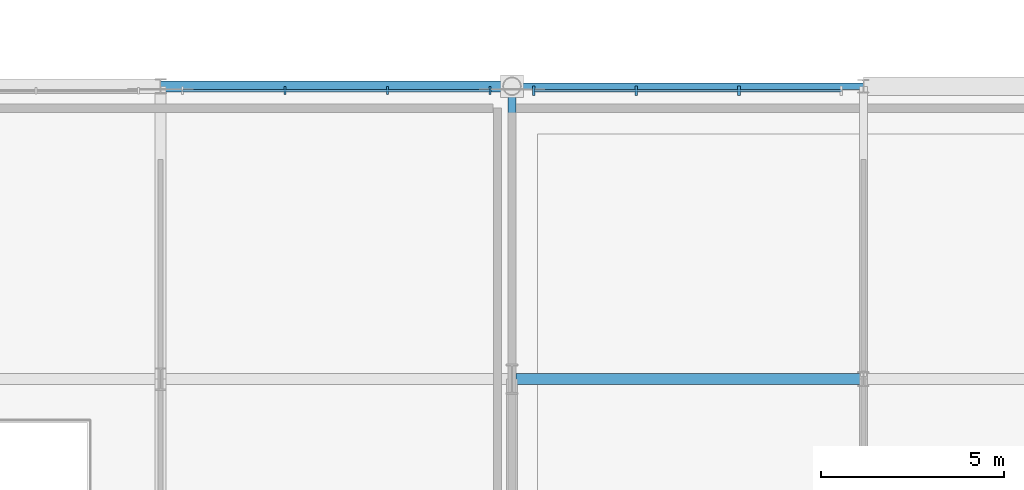
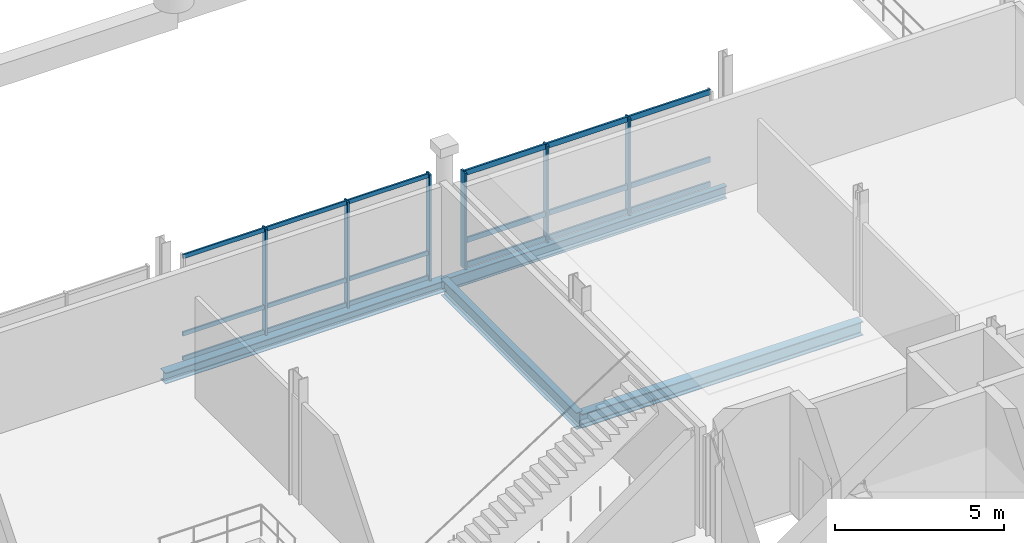
# One storey, part 42 of 193: 12 members, 4 beams, 2 elements without a shape of their own.
"""IFC4 building model written with IfcOpenShell, lengths in metres."""

from ifc_helpers import new_model, si_unit, direction, frame, origin, origin_2d, place, context, subcontext, project, spatial, rectangle, i_section, extrude, material, material_profile, profile_set, type_object, element, aggregate, save


model = new_model("IFC4")

# Units and contexts
model_context = context("Model", 3, precision=1e-05, world=origin(), true_north=direction((0.0, 1.0)))
body_context = subcontext(model_context, "Body", "Model", "MODEL_VIEW")
ifc_project = project(units=[si_unit("LENGTHUNIT", "METRE"), si_unit("AREAUNIT", "SQUARE_METRE"), si_unit("VOLUMEUNIT", "CUBIC_METRE"), si_unit("PLANEANGLEUNIT", "RADIAN"), si_unit("MASSUNIT", "GRAM", prefix="KILO")], contexts=[model_context])

# Site, building, storey
site_placement = place(None, origin())
site = spatial("IfcSite", under=ifc_project, at=site_placement, CompositionType="ELEMENT")
building_placement = place(site_placement, origin())
building = spatial("IfcBuilding", under=site, at=building_placement, Name="Danafjord Basin Convention Centre", CompositionType="ELEMENT")
storey_placement = place(building_placement, frame((0.0, 0.0, 11.39990234375)))
storey = spatial("IfcBuildingStorey", under=building, at=storey_placement, Name="L02", CompositionType="ELEMENT", Elevation=11.39990234375)

# Beams
ifc_material_1 = material(Name="Steel S355", Category="steel")
ifc_material_profile_1 = material_profile(ifc_material_1, i_section(OverallWidth=0.300048828125, OverallDepth=0.5, WebThickness=0.014404296875, FlangeThickness=0.028076171875, FilletRadius=0.027099609375, at=origin_2d()), Name="HEB 500")
ifc_profile_set_1 = profile_set([ifc_material_profile_1], Name="Steel S355")
beam_type_1 = type_object("IfcBeamType", Name="BEAM-BM-HEB500", PredefinedType="BEAM", material=ifc_profile_set_1)
beam_1_placement = place(storey_placement, frame((86.39990234375, 32.0, -0.5), z_axis=(1.0, 0.0, 0.0), x_axis=(0.0, 1.0, 0.0)))
element("IfcBeam", 1, at=beam_1_placement, inside=storey, type_object=beam_type_1, Name="L02 girder BM-HEB500", PredefinedType="BEAM", context=body_context, shape_type="SweptSolid", body=[
    extrude(i_section(OverallWidth=0.300048828125, OverallDepth=0.5, WebThickness=0.014404296875, FlangeThickness=0.028076171875, FilletRadius=0.027099609375, at=origin_2d()), origin(), (0.0, 0.0, 1.0), 9.60009765625),
])
ifc_material_profile_2 = material_profile(ifc_material_1, i_section(OverallWidth=0.219970703125, OverallDepth=0.60009765625, WebThickness=0.011962890625, FlangeThickness=0.01904296875, FilletRadius=0.02392578125, at=origin_2d()), Name="IPE 600")
ifc_profile_set_2 = profile_set([ifc_material_profile_2], Name="Steel S355")
beam_type_2 = type_object("IfcBeamType", Name="BEAM-BM-IPE600", PredefinedType="BEAM", material=ifc_profile_set_2)
beam_2_placement = place(storey_placement, frame((86.39990234375, 32.0, -0.5498046875), z_axis=(0.0, 1.0, 0.0), x_axis=(-1.0, 0.0, 0.0)))
element("IfcBeam", 2, at=beam_2_placement, inside=storey, type_object=beam_type_2, Name="L02 transverse girder BM-IPE600", PredefinedType="BEAM", context=body_context, shape_type="SweptSolid", body=[
    extrude(i_section(OverallWidth=0.219970703125, OverallDepth=0.60009765625, WebThickness=0.011962890625, FlangeThickness=0.01904296875, FilletRadius=0.02392578125, at=origin_2d()), origin(), (0.0, 0.0, 1.0), 8.0),
])
ifc_material_profile_3 = material_profile(ifc_material_1, i_section(OverallWidth=0.300048828125, OverallDepth=0.39990234375, WebThickness=0.013427734375, FlangeThickness=0.02392578125, FilletRadius=0.027099609375, at=origin_2d()), Name="HEB 400")
ifc_profile_set_3 = profile_set([ifc_material_profile_3], Name="Steel S355")
beam_type_3 = type_object("IfcBeamType", Name="BEAM-SP-HEB400", PredefinedType="SPANDREL", material=ifc_profile_set_3)
beam_3_placement = place(storey_placement, frame((76.800048828125, 40.0, -0.449951171875), z_axis=(1.0, 0.0, 0.0), x_axis=(0.0, 1.0, 0.0)))
element("IfcBeam", 3, at=beam_3_placement, inside=storey, type_object=beam_type_3, Name="L02 girder SP-HEB400", PredefinedType="SPANDREL", context=body_context, shape_type="SweptSolid", body=[
    extrude(i_section(OverallWidth=0.300048828125, OverallDepth=0.39990234375, WebThickness=0.013427734375, FlangeThickness=0.02392578125, FilletRadius=0.027099609375, at=origin_2d()), origin(), (0.0, 0.0, 1.0), 9.599853515625),
])
ifc_material_profile_4 = material_profile(ifc_material_1, i_section(OverallWidth=0.18994140625, OverallDepth=0.449951171875, WebThickness=0.009521484375, FlangeThickness=0.0146484375, FilletRadius=0.02099609375, at=origin_2d()), Name="IPE 450")
ifc_profile_set_4 = profile_set([ifc_material_profile_4], Name="Steel S355")
beam_type_4 = type_object("IfcBeamType", Name="BEAM-SP-IPE450", PredefinedType="SPANDREL", material=ifc_profile_set_4)
beam_4_placement = place(storey_placement, frame((86.39990234375, 40.0, -0.474853515625), z_axis=(1.0, 0.0, 0.0), x_axis=(0.0, 1.0, 0.0)))
element("IfcBeam", 4, at=beam_4_placement, inside=storey, type_object=beam_type_4, Name="L02 girder SP-IPE450", PredefinedType="SPANDREL", context=body_context, shape_type="SweptSolid", body=[
    extrude(i_section(OverallWidth=0.18994140625, OverallDepth=0.449951171875, WebThickness=0.009521484375, FlangeThickness=0.0146484375, FilletRadius=0.02099609375, at=origin_2d()), origin(), (0.0, 0.0, 1.0), 9.60009765625),
])

# Curtain wall, members
ifc_material_2 = material(Name="Anodised aluminium and triple glazing", Category="aluminium")
curtain_wall_type = type_object("IfcCurtainWallType", Name="CW-CW-TERR", PredefinedType="NOTDEFINED", material=ifc_material_2)
curtain_wall_1_placement = place(storey_placement, origin())
curtain_wall_1 = element("IfcCurtainWall", 5, at=curtain_wall_1_placement, inside=storey, type_object=curtain_wall_type, Name="L02 CW-TERR unitised curtain wall bay 67", PredefinedType="NOTDEFINED")
ifc_material_3 = material(Name="Anodised aluminium EN AW-6060", Category="aluminium")
ifc_material_profile_5 = material_profile(ifc_material_3, rectangle(XDim=0.06494140625, YDim=0.219970703125, at=origin_2d()), Name="MULL 65x220")
ifc_profile_set_5 = profile_set([ifc_material_profile_5], Name="Anodised aluminium EN AW-6060")
member_type_1 = type_object("IfcMemberType", Name="MEM-ML-220", PredefinedType="MULLION", material=ifc_profile_set_5)
member_1_placement = place(storey_placement, frame((85.800048828125, 39.8798828125, -0.02490234375), z_axis=(0.0, 0.0, 1.0), x_axis=(-1.0, 0.0, 0.0)))
member_1 = element("IfcMember", 6, at=member_1_placement, type_object=member_type_1, Name="CW-L02-067 mullion 1", PredefinedType="MULLION", context=body_context, shape_type="SweptSolid", body=[
    extrude(rectangle(XDim=0.06494140625, YDim=0.219970703125, at=origin_2d()), origin(), (0.0, 0.0, 1.0), 3.8349609375),
])
member_2_placement = place(storey_placement, frame((83.0, 39.8798828125, -0.02490234375), z_axis=(0.0, 0.0, 1.0), x_axis=(-1.0, 0.0, 0.0)))
member_2 = element("IfcMember", 7, at=member_2_placement, type_object=member_type_1, Name="CW-L02-067 mullion 2", PredefinedType="MULLION", context=body_context, shape_type="SweptSolid", body=[
    extrude(rectangle(XDim=0.06494140625, YDim=0.219970703125, at=origin_2d()), origin(), (0.0, 0.0, 1.0), 3.8349609375),
])
member_3_placement = place(storey_placement, frame((80.199951171875, 39.8798828125, -0.02490234375), z_axis=(0.0, 0.0, 1.0), x_axis=(-1.0, 0.0, 0.0)))
member_3 = element("IfcMember", 8, at=member_3_placement, type_object=member_type_1, Name="CW-L02-067 mullion 3", PredefinedType="MULLION", context=body_context, shape_type="SweptSolid", body=[
    extrude(rectangle(XDim=0.06494140625, YDim=0.219970703125, at=origin_2d()), origin(), (0.0, 0.0, 1.0), 3.8349609375),
])

curtain_wall_2_placement = place(storey_placement, origin())
curtain_wall_2 = element("IfcCurtainWall", 9, at=curtain_wall_2_placement, inside=storey, type_object=curtain_wall_type, Name="L02 CW-TERR unitised curtain wall bay 68", PredefinedType="NOTDEFINED")
ifc_material_profile_6 = material_profile(ifc_material_3, rectangle(XDim=0.070068359375, YDim=0.260009765625, at=origin_2d()), Name="MULL 70x260")
ifc_profile_set_6 = profile_set([ifc_material_profile_6], Name="Anodised aluminium EN AW-6060")
member_type_2 = type_object("IfcMemberType", Name="MEM-ML-260", PredefinedType="MULLION", material=ifc_profile_set_6)
member_4_placement = place(storey_placement, frame((92.60009765625, 39.8798828125, -0.02490234375), z_axis=(0.0, 0.0, 1.0), x_axis=(-1.0, 0.0, 0.0)))
member_4 = element("IfcMember", 10, at=member_4_placement, type_object=member_type_2, Name="CW-L02-068 mullion 2", PredefinedType="MULLION", context=body_context, shape_type="SweptSolid", body=[
    extrude(rectangle(XDim=0.070068359375, YDim=0.260009765625, at=origin_2d()), origin(), (0.0, 0.0, 1.0), 3.485107421875),
])
member_5_placement = place(storey_placement, frame((89.800048828125, 39.8798828125, -0.02490234375), z_axis=(0.0, 0.0, 1.0), x_axis=(-1.0, 0.0, 0.0)))
member_5 = element("IfcMember", 11, at=member_5_placement, type_object=member_type_2, Name="CW-L02-068 mullion 3", PredefinedType="MULLION", context=body_context, shape_type="SweptSolid", body=[
    extrude(rectangle(XDim=0.070068359375, YDim=0.260009765625, at=origin_2d()), origin(), (0.0, 0.0, 1.0), 3.485107421875),
])
member_6_placement = place(storey_placement, frame((87.0, 39.8798828125, -0.02490234375), z_axis=(0.0, 0.0, 1.0), x_axis=(-1.0, 0.0, 0.0)))
member_6 = element("IfcMember", 12, at=member_6_placement, type_object=member_type_2, Name="CW-L02-068 mullion 4", PredefinedType="MULLION", context=body_context, shape_type="SweptSolid", body=[
    extrude(rectangle(XDim=0.070068359375, YDim=0.260009765625, at=origin_2d()), origin(), (0.0, 0.0, 1.0), 3.485107421875),
])

# Member
ifc_material_profile_7 = material_profile(ifc_material_3, rectangle(XDim=0.06005859375, YDim=0.14990234375, at=origin_2d()), Name="TRAN 60x150")
ifc_profile_set_7 = profile_set([ifc_material_profile_7], Name="Anodised aluminium EN AW-6060")
member_type_3 = type_object("IfcMemberType", Name="MEM-TR-150", PredefinedType="USERDEFINED", material=ifc_profile_set_7)
member_7_placement = place(storey_placement, frame((85.800048828125, 39.8798828125, 0.06005859375), z_axis=(-1.0, 0.0, 0.0), x_axis=(0.0, -1.0, 0.0)))
member_7 = element("IfcMember", 13, at=member_7_placement, type_object=member_type_3, Name="CW-L02-067 transom 1", ObjectType="TRANSOM", PredefinedType="USERDEFINED", context=body_context, shape_type="SweptSolid", body=[
    extrude(rectangle(XDim=0.06005859375, YDim=0.14990234375, at=origin_2d()), origin(), (0.0, 0.0, 1.0), 8.400146484375),
])

member_8_placement = place(storey_placement, frame((85.800048828125, 39.8798828125, 0.9501953125), z_axis=(-1.0, 0.0, 0.0), x_axis=(0.0, -1.0, 0.0)))
member_8 = element("IfcMember", 14, at=member_8_placement, type_object=member_type_3, Name="CW-L02-067 transom 2", ObjectType="TRANSOM", PredefinedType="USERDEFINED", context=body_context, shape_type="SweptSolid", body=[
    extrude(rectangle(XDim=0.06005859375, YDim=0.14990234375, at=origin_2d()), origin(), (0.0, 0.0, 1.0), 8.400146484375),
])

member_9_placement = place(storey_placement, frame((85.800048828125, 39.8798828125, 3.739990234375), z_axis=(-1.0, 0.0, 0.0), x_axis=(0.0, -1.0, 0.0)))
member_9 = element("IfcMember", 15, at=member_9_placement, type_object=member_type_3, Name="CW-L02-067 transom 3", ObjectType="TRANSOM", PredefinedType="USERDEFINED", context=body_context, shape_type="SweptSolid", body=[
    extrude(rectangle(XDim=0.06005859375, YDim=0.14990234375, at=origin_2d()), origin(), (0.0, 0.0, 1.0), 8.400146484375),
])

aggregate(curtain_wall_1, [member_1, member_2, member_3, member_7, member_8, member_9])

ifc_material_profile_8 = material_profile(ifc_material_3, rectangle(XDim=0.06494140625, YDim=0.18994140625, at=origin_2d()), Name="TRAN 65x190")
ifc_profile_set_8 = profile_set([ifc_material_profile_8], Name="Anodised aluminium EN AW-6060")
member_type_4 = type_object("IfcMemberType", Name="MEM-TR-190", PredefinedType="USERDEFINED", material=ifc_profile_set_8)
member_10_placement = place(storey_placement, frame((95.39990234375, 39.8798828125, 0.06005859375), z_axis=(-1.0, 0.0, 0.0), x_axis=(0.0, -1.0, 0.0)))
member_10 = element("IfcMember", 16, at=member_10_placement, type_object=member_type_4, Name="CW-L02-068 transom 1", ObjectType="TRANSOM", PredefinedType="USERDEFINED", context=body_context, shape_type="SweptSolid", body=[
    extrude(rectangle(XDim=0.06494140625, YDim=0.18994140625, at=origin_2d()), origin(), (0.0, 0.0, 1.0), 8.39990234375),
])

member_11_placement = place(storey_placement, frame((95.39990234375, 39.8798828125, 0.9501953125), z_axis=(-1.0, 0.0, 0.0), x_axis=(0.0, -1.0, 0.0)))
member_11 = element("IfcMember", 17, at=member_11_placement, type_object=member_type_4, Name="CW-L02-068 transom 2", ObjectType="TRANSOM", PredefinedType="USERDEFINED", context=body_context, shape_type="SweptSolid", body=[
    extrude(rectangle(XDim=0.06494140625, YDim=0.18994140625, at=origin_2d()), origin(), (0.0, 0.0, 1.0), 8.39990234375),
])

member_12_placement = place(storey_placement, frame((95.39990234375, 39.8798828125, 3.39013671875), z_axis=(-1.0, 0.0, 0.0), x_axis=(0.0, -1.0, 0.0)))
member_12 = element("IfcMember", 18, at=member_12_placement, type_object=member_type_4, Name="CW-L02-068 transom 3", ObjectType="TRANSOM", PredefinedType="USERDEFINED", context=body_context, shape_type="SweptSolid", body=[
    extrude(rectangle(XDim=0.06494140625, YDim=0.18994140625, at=origin_2d()), origin(), (0.0, 0.0, 1.0), 8.39990234375),
])

aggregate(curtain_wall_2, [member_4, member_5, member_6, member_10, member_11, member_12])

save(model, "model.ifc")
